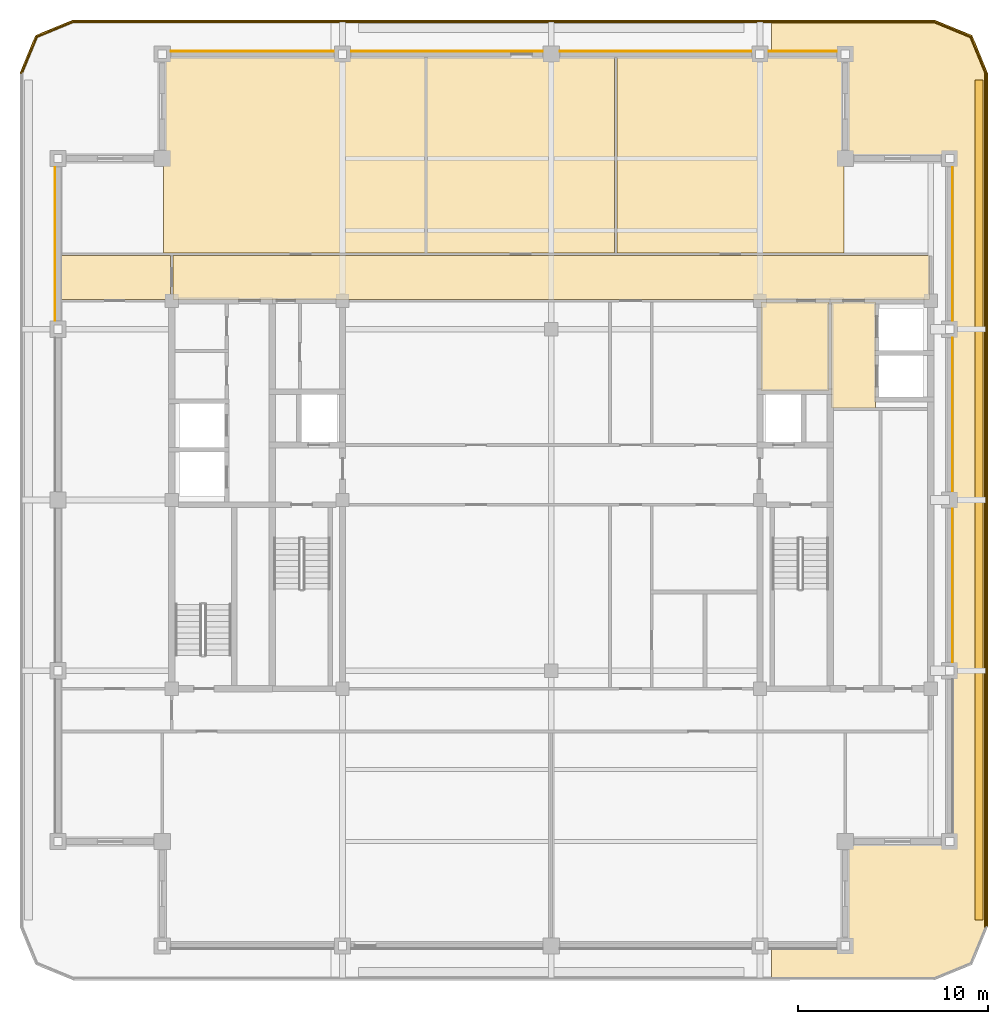
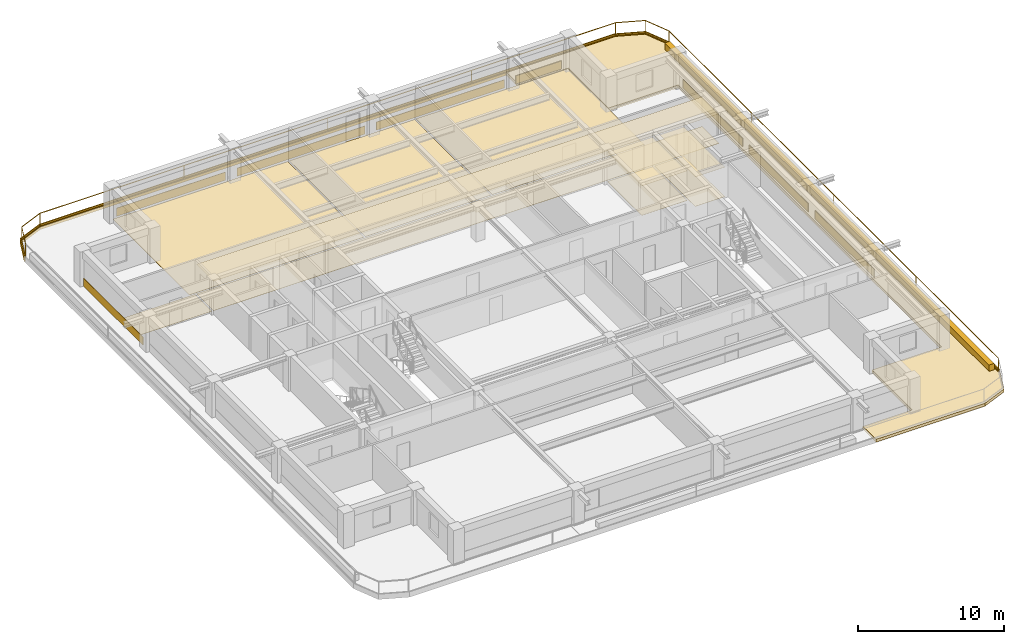
# One storey, part 10 of 10: 26 coverings, 2 railings.
"""IFC4 building model written with IfcOpenShell, lengths in metres."""

from ifc_helpers import new_model, si_unit, direction, frame, frame_2d, origin, origin_2d, place, context, subcontext, project, spatial, polyline, rectangle, outline, extrude, material, layer, layer_set, type_object, element, save


model = new_model("IFC4")

# Units and contexts
model_context = context("Model", 3, precision=1e-05, world=origin(), true_north=direction((0.0, 1.0)))
body_context = subcontext(model_context, "Body", "Model", "MODEL_VIEW")
ifc_project = project(units=[si_unit("LENGTHUNIT", "METRE"), si_unit("AREAUNIT", "SQUARE_METRE"), si_unit("VOLUMEUNIT", "CUBIC_METRE"), si_unit("PLANEANGLEUNIT", "RADIAN"), si_unit("MASSUNIT", "GRAM", prefix="KILO")], contexts=[model_context])

# Site, building, storey
site_placement = place(None, origin())
site = spatial("IfcSite", under=ifc_project, at=site_placement, CompositionType="ELEMENT")
building_placement = place(site_placement, origin())
building = spatial("IfcBuilding", under=site, at=building_placement, Name="Zulmaris Gate Convention Tower", CompositionType="ELEMENT")
storey_placement = place(building_placement, frame((0.0, 0.0, 267.35009765625)))
storey = spatial("IfcBuildingStorey", under=building, at=storey_placement, Name="L71", CompositionType="ELEMENT", Elevation=267.35009765625)

# Coverings
ifc_material_1 = material(Name="Precast concrete C40/50", Category="concrete")
ifc_layer_1 = layer(ifc_material_1, 0.0400390625, Name="Precast concrete C40/50")
ifc_layer_set_1 = layer_set([ifc_layer_1], Name="Precast concrete C40/50")
covering_type_1 = type_object("IfcCoveringType", Name="CLAD-SPANDREL-PRECAST", PredefinedType="CLADDING", material=ifc_layer_set_1)
covering_1_placement = place(storey_placement, frame((-11.455078125, 23.64990234375, 0.0), z_axis=(0.0, 0.0, 1.0), x_axis=(-1.0, 0.0, 0.0)))
element("IfcCovering", 1, at=covering_1_placement, inside=storey, type_object=covering_type_1, Name="CLD-L71-N-0_0", PredefinedType="CLADDING", context=body_context, shape_type="SweptSolid", body=[
    extrude(rectangle(XDim=8.58984375, YDim=0.0400390625, at=frame_2d((4.294921875, 0.0))), origin(), (0.0, 0.0, 1.0), 0.679931640625),
])
for number, where, z_axis, x_axis, name in (
    (2, (-0.455078125, 23.64990234375, 0.0), (0.0, 0.0, 1.0), (-1.0, 0.0, 0.0), "CLD-L71-N-1_0"),
    (3, (10.544921875, 23.64990234375, 0.0), (0.0, 0.0, 1.0), (-1.0, 0.0, 0.0), "CLD-L71-N-2_0"),
):
    element("IfcCovering", number, at=place(storey_placement, frame(where, z_axis=z_axis, x_axis=x_axis)), inside=storey, type_object=covering_type_1, Name=name, PredefinedType="CLADDING", context=body_context, shape_type="SweptSolid", body=[
        extrude(rectangle(XDim=10.08984375, YDim=0.0400390625, at=frame_2d((5.044921875, 0.0))), origin(), (0.0, 0.0, 1.0), 0.679931640625),
    ])
covering_2_placement = place(storey_placement, frame((15.044921875, 23.64990234375, 0.0), z_axis=(0.0, 0.0, 1.0), x_axis=(-1.0, 0.0, 0.0)))
element("IfcCovering", 4, at=covering_2_placement, inside=storey, type_object=covering_type_1, Name="CLD-L71-N-3_0", PredefinedType="CLADDING", context=body_context, shape_type="SweptSolid", body=[
    extrude(rectangle(XDim=3.58984375, YDim=0.0400390625, at=frame_2d((1.794921875, 0.0))), origin(), (0.0, 0.0, 1.0), 0.679931640625),
])
for number, where, z_axis, x_axis, name in (
    (5, (21.14990234375, -8.544921875, 0.0), (0.0, 0.0, 1.0), (0.0, 1.0, 0.0), "CLD-L71-E-1_0"),
    (6, (21.14990234375, 0.455078125, 0.0), (0.0, 0.0, 1.0), (0.0, 1.0, 0.0), "CLD-L71-E-2_0"),
    (7, (21.14990234375, 9.455078125, 0.0), (0.0, 0.0, 1.0), (0.0, 1.0, 0.0), "CLD-L71-E-3_0"),
    (8, (-26.14990234375, 17.544921875, 0.0), (0.0, 0.0, 1.0), (0.0, -1.0, 0.0), "CLD-L71-W-3_0"),
):
    element("IfcCovering", number, at=place(storey_placement, frame(where, z_axis=z_axis, x_axis=x_axis)), inside=storey, type_object=covering_type_1, Name=name, PredefinedType="CLADDING", context=body_context, shape_type="SweptSolid", body=[
        extrude(rectangle(XDim=8.08984375, YDim=0.0400390625, at=frame_2d((4.044921875, 0.0))), origin(), (0.0, 0.0, 1.0), 0.679931640625),
    ])
ifc_material_2 = material(Name="White Glazed Architectural Precast Concrete C40/50", Category="concrete")
ifc_layer_2 = layer(ifc_material_2, 0.239990234375, Name="White Glazed Architectural Precast Concrete C40/50")
ifc_layer_set_2 = layer_set([ifc_layer_2], Name="White Glazed Architectural Precast Concrete C40/50")
covering_type_2 = type_object("IfcCoveringType", Name="CLAD-TRAY-DECK", PredefinedType="CLADDING", material=ifc_layer_set_2)
covering_3_placement = place(storey_placement, frame((0.0, 0.0, -0.25)))
element("IfcCovering", 9, at=covering_3_placement, inside=storey, type_object=covering_type_2, Name="L71 East Rounded-Fascia Planter Tray Deck", PredefinedType="CLADDING", context=body_context, shape_type="SweptSolid", body=[
    extrude(outline(polyline([(20.199951171875, 25.300048828125), (22.179931640625, 24.47998046875), (23.0, 22.5), (23.0, -22.5), (22.179931640625, -24.47998046875), (20.199951171875, -25.300048828125), (11.60205078125, -25.300048828125), (11.60205078125, -23.5), (15.5, -23.5), (15.5, -18.0), (21.0, -18.0), (21.0, 18.0), (15.5, 18.0), (15.5, 23.5), (11.60205078125, 23.5), (11.60205078125, 25.300048828125), (20.199951171875, 25.300048828125)])), origin(), (0.0, 0.0, 1.0), 0.239990234375),
])
ifc_layer_3 = layer(ifc_material_2, 0.080078125, Name="White Glazed Architectural Precast Concrete C40/50")
ifc_layer_set_3 = layer_set([ifc_layer_3], Name="White Glazed Architectural Precast Concrete C40/50")
covering_type_3 = type_object("IfcCoveringType", Name="CLAD-TRAY-FASCIA", PredefinedType="CLADDING", material=ifc_layer_set_3)
covering_4_placement = place(storey_placement, frame((22.9599609375, -22.5, -0.2900390625), z_axis=(0.0, 0.0, 1.0), x_axis=(0.0, 1.0, 0.0)))
element("IfcCovering", 10, at=covering_4_placement, inside=storey, type_object=covering_type_3, Name="FSC-L71-TR-05", PredefinedType="CLADDING", context=body_context, shape_type="SweptSolid", body=[
    extrude(rectangle(XDim=45.0, YDim=0.080078125, at=frame_2d((22.5, 0.0))), origin(), (0.0, 0.0, 1.0), 0.43994140625),
])
covering_5_placement = place(storey_placement, frame((22.962890625, 22.484619140625, -0.2900390625), z_axis=(0.0, 0.0, 1.0), x_axis=(-0.382656984709, 0.923890487046, 0.0)))
element("IfcCovering", 11, at=covering_5_placement, inside=storey, type_object=covering_type_3, Name="FSC-L71-TR-06", PredefinedType="CLADDING", context=body_context, shape_type="SweptSolid", body=[
    extrude(rectangle(XDim=2.14306640625, YDim=0.080078125, at=frame_2d((1.071533203125, 0.0))), origin(), (0.0, 0.0, 1.0), 0.43994140625),
])
covering_6_placement = place(storey_placement, frame((22.16455078125, 24.44287109375, -0.2900390625), z_axis=(0.0, 0.0, 1.0), x_axis=(-0.923873803533, 0.382697263049, 0.0)))
element("IfcCovering", 12, at=covering_6_placement, inside=storey, type_object=covering_type_3, Name="FSC-L71-TR-07", PredefinedType="CLADDING", context=body_context, shape_type="SweptSolid", body=[
    extrude(rectangle(XDim=2.142822265625, YDim=0.080078125, at=frame_2d((1.0712890625, 0.0))), origin(), (0.0, 0.0, 1.0), 0.43994140625),
])
covering_7_placement = place(storey_placement, frame((20.199951171875, 25.260009765625, -0.2900390625), z_axis=(0.0, 0.0, 1.0), x_axis=(-1.0, 0.0, 0.0)))
element("IfcCovering", 13, at=covering_7_placement, inside=storey, type_object=covering_type_3, Name="FSC-L71-TR-08", PredefinedType="CLADDING", context=body_context, shape_type="SweptSolid", body=[
    extrude(rectangle(XDim=45.39990234375, YDim=0.080078125, at=frame_2d((22.699951171875, 0.0))), origin(), (0.0, 0.0, 1.0), 0.43994140625),
])
covering_8_placement = place(storey_placement, frame((-25.184814453125, 25.262939453125, -0.2900390625), z_axis=(0.0, 0.0, 1.0), x_axis=(-0.923873803533, -0.382697263049, 0.0)))
element("IfcCovering", 14, at=covering_8_placement, inside=storey, type_object=covering_type_3, Name="FSC-L71-TR-09", PredefinedType="CLADDING", context=body_context, shape_type="SweptSolid", body=[
    extrude(rectangle(XDim=2.142822265625, YDim=0.080078125, at=frame_2d((1.0712890625, 0.0))), origin(), (0.0, 0.0, 1.0), 0.43994140625),
])
covering_9_placement = place(storey_placement, frame((-27.142822265625, 24.464599609375, -0.2900390625), z_axis=(0.0, 0.0, 1.0), x_axis=(-0.382656984709, -0.923890487046, 0.0)))
element("IfcCovering", 15, at=covering_9_placement, inside=storey, type_object=covering_type_3, Name="FSC-L71-TR-10", PredefinedType="CLADDING", context=body_context, shape_type="SweptSolid", body=[
    extrude(rectangle(XDim=2.14306640625, YDim=0.080078125, at=frame_2d((1.071533203125, 0.0))), origin(), (0.0, 0.0, 1.0), 0.43994140625),
])
ifc_material_3 = material(Name="Mineral Fibre Acoustic Ceiling Tile")
ifc_layer_4 = layer(ifc_material_3, 0.02001953125, Name="Mineral Fibre Acoustic Ceiling Tile")
ifc_layer_set_4 = layer_set([ifc_layer_4], Name="Mineral Fibre Acoustic Ceiling Tile")
covering_type_4 = type_object("IfcCoveringType", Name="CLG-ACOUSTIC-600", PredefinedType="CEILING", material=ifc_layer_set_4)
covering_10_placement = place(storey_placement, frame((0.0, 0.0, 2.462890625)))
element("IfcCovering", 16, at=covering_10_placement, inside=storey, type_object=covering_type_4, Name="CLG-L71-R13", PredefinedType="CEILING", context=body_context, shape_type="SweptSolid", body=[
    extrude(outline(polyline([(11.06005859375, 5.760009765625), (14.639892578125, 5.760009765625), (14.639892578125, 10.43994140625), (11.06005859375, 10.43994140625), (11.06005859375, 5.760009765625)])), origin(), (0.0, 0.0, 1.0), 0.02001953125),
])
covering_11_placement = place(storey_placement, frame((0.0, 0.0, 2.462890625)))
element("IfcCovering", 17, at=covering_11_placement, inside=storey, type_object=covering_type_4, Name="CLG-L71-R23", PredefinedType="CEILING", context=body_context, shape_type="SweptSolid", body=[
    extrude(outline(polyline([(14.760009765625, 4.860107421875), (17.090087890625, 4.860107421875), (17.090087890625, 10.43994140625), (14.760009765625, 10.43994140625), (14.760009765625, 4.860107421875)])), origin(), (0.0, 0.0, 1.0), 0.02001953125),
])
covering_12_placement = place(storey_placement, frame((0.0, 0.0, 2.462890625)))
element("IfcCovering", 18, at=covering_12_placement, inside=storey, type_object=covering_type_4, Name="CLG-L71-R28", PredefinedType="CEILING", context=body_context, shape_type="SweptSolid", body=[
    extrude(outline(polyline([(-19.93994140625, 10.56005859375), (19.93994140625, 10.56005859375), (19.93994140625, 12.889892578125), (-19.93994140625, 12.889892578125), (-19.93994140625, 10.56005859375)])), origin(), (0.0, 0.0, 1.0), 0.02001953125),
])
ifc_material_4 = material(Name="Woven Acoustic Wool Carpet Tile")
ifc_layer_5 = layer(ifc_material_4, 0.02001953125, Name="Woven Acoustic Wool Carpet Tile")
ifc_layer_set_5 = layer_set([ifc_layer_5], Name="Woven Acoustic Wool Carpet Tile")
covering_type_5 = type_object("IfcCoveringType", Name="FLR-CARPET-12", PredefinedType="FLOORING", material=ifc_layer_set_5)
covering_13_placement = place(storey_placement, origin())
element("IfcCovering", 19, at=covering_13_placement, inside=storey, type_object=covering_type_5, Name="FLR-L71-R13", PredefinedType="FLOORING", context=body_context, shape_type="SweptSolid", body=[
    extrude(outline(polyline([(11.06005859375, 5.760009765625), (14.639892578125, 5.760009765625), (14.639892578125, 10.43994140625), (11.06005859375, 10.43994140625), (11.06005859375, 5.760009765625)])), origin(), (0.0, 0.0, 1.0), 0.02001953125),
])
covering_14_placement = place(storey_placement, origin())
element("IfcCovering", 20, at=covering_14_placement, inside=storey, type_object=covering_type_5, Name="FLR-L71-R23", PredefinedType="FLOORING", context=body_context, shape_type="SweptSolid", body=[
    extrude(outline(polyline([(14.760009765625, 4.860107421875), (17.090087890625, 4.860107421875), (17.090087890625, 10.43994140625), (14.760009765625, 10.43994140625), (14.760009765625, 4.860107421875)])), origin(), (0.0, 0.0, 1.0), 0.02001953125),
])
covering_15_placement = place(storey_placement, origin())
element("IfcCovering", 21, at=covering_15_placement, inside=storey, type_object=covering_type_5, Name="FLR-L71-R28", PredefinedType="FLOORING", context=body_context, shape_type="SweptSolid", body=[
    extrude(outline(polyline([(-19.93994140625, 10.56005859375), (19.93994140625, 10.56005859375), (19.93994140625, 12.889892578125), (-19.93994140625, 12.889892578125), (-19.93994140625, 10.56005859375)])), origin(), (0.0, 0.0, 1.0), 0.02001953125),
])
covering_16_placement = place(storey_placement, origin())
element("IfcCovering", 22, at=covering_16_placement, inside=storey, type_object=covering_type_5, Name="FLR-L71-R33", PredefinedType="FLOORING", context=body_context, shape_type="SweptSolid", body=[
    extrude(outline(polyline([(-20.43994140625, 13.010009765625), (-6.659912109375, 13.010009765625), (-6.659912109375, 23.43994140625), (-20.43994140625, 23.43994140625), (-20.43994140625, 13.010009765625)])), origin(), (0.0, 0.0, 1.0), 0.02001953125),
])
covering_17_placement = place(storey_placement, origin())
element("IfcCovering", 23, at=covering_17_placement, inside=storey, type_object=covering_type_5, Name="FLR-L71-R34", PredefinedType="FLOORING", context=body_context, shape_type="SweptSolid", body=[
    extrude(outline(polyline([(-6.5400390625, 13.010009765625), (3.340087890625, 13.010009765625), (3.340087890625, 23.43994140625), (-6.5400390625, 23.43994140625), (-6.5400390625, 13.010009765625)])), origin(), (0.0, 0.0, 1.0), 0.02001953125),
])
covering_18_placement = place(storey_placement, origin())
element("IfcCovering", 24, at=covering_18_placement, inside=storey, type_object=covering_type_5, Name="FLR-L71-R35", PredefinedType="FLOORING", context=body_context, shape_type="SweptSolid", body=[
    extrude(outline(polyline([(3.4599609375, 13.010009765625), (15.43994140625, 13.010009765625), (15.43994140625, 23.43994140625), (3.4599609375, 23.43994140625), (3.4599609375, 13.010009765625)])), origin(), (0.0, 0.0, 1.0), 0.02001953125),
])
covering_19_placement = place(storey_placement, origin())
element("IfcCovering", 25, at=covering_19_placement, inside=storey, type_object=covering_type_5, Name="FLR-L71-R44", PredefinedType="FLOORING", context=body_context, shape_type="SweptSolid", body=[
    extrude(outline(polyline([(-25.93994140625, 10.56005859375), (-20.06005859375, 10.56005859375), (-20.06005859375, 12.889892578125), (-25.93994140625, 12.889892578125), (-25.93994140625, 10.56005859375)])), origin(), (0.0, 0.0, 1.0), 0.02001953125),
])
ifc_material_5 = material(Name="Botanical Green Glazed Precast Concrete C40/50", Category="concrete")
ifc_layer_6 = layer(ifc_material_5, 0.419921875, Name="Botanical Green Glazed Precast Concrete C40/50")
ifc_layer_set_6 = layer_set([ifc_layer_6], Name="Botanical Green Glazed Precast Concrete C40/50")
covering_type_6 = type_object("IfcCoveringType", Name="PLANTER-BOX-200", PredefinedType="CLADDING", material=ifc_layer_set_6)
covering_20_placement = place(storey_placement, frame((0.0, 0.0, -0.010009765625)))
element("IfcCovering", 26, at=covering_20_placement, inside=storey, type_object=covering_type_6, Name="L71 E Full-Length Balcony Tree Planter Trough", PredefinedType="CLADDING", context=body_context, shape_type="SweptSolid", body=[
    extrude(outline(polyline([(22.340087890625, -22.14990234375), (22.760009765625, -22.14990234375), (22.760009765625, 22.14990234375), (22.340087890625, 22.14990234375), (22.340087890625, -22.14990234375)])), origin(), (0.0, 0.0, 1.0), 0.52001953125),
])

# Railings
ifc_material_6 = material(Name="Laminated Glass and Stainless Steel", Category="steel")
railing_type = type_object("IfcRailingType", Name="RL-BALC-1150", PredefinedType="BALUSTRADE", material=ifc_material_6)
railing_1_placement = place(storey_placement, frame((22.8798828125, -22.5, -0.010009765625)))
element("IfcRailing", 27, at=railing_1_placement, inside=storey, type_object=railing_type, Name="RL-L71-BALC-E", PredefinedType="BALUSTRADE", context=body_context, shape_type="SweptSolid", body=[
    extrude(rectangle(XDim=0.048095703125, YDim=0.048095703125, at=origin_2d()), frame((0.0, 0.0, 1.1259765625), z_axis=(0.0, 1.0, 0.0), x_axis=(-1.0, 0.0, 0.0)), (0.0, 0.0, 1.0), 45.0),
    extrude(rectangle(XDim=0.048095703125, YDim=0.048095703125, at=origin_2d()), frame((0.0, 0.0, 0.02392578125), z_axis=(0.0, 1.0, 0.0), x_axis=(-1.0, 0.0, 0.0)), (0.0, 0.0, 1.0), 45.0),
    extrude(rectangle(XDim=0.0419921875, YDim=0.0419921875, at=origin_2d()), origin(), (0.0, 0.0, 1.0), 1.101806640625),
    extrude(rectangle(XDim=0.0419921875, YDim=0.0419921875, at=origin_2d()), frame((0.0, 11.25, 0.0)), (0.0, 0.0, 1.0), 1.101806640625),
    extrude(rectangle(XDim=0.0419921875, YDim=0.0419921875, at=origin_2d()), frame((0.0, 22.5, 0.0)), (0.0, 0.0, 1.0), 1.101806640625),
    extrude(rectangle(XDim=0.0419921875, YDim=0.0419921875, at=origin_2d()), frame((0.0, 33.75, 0.0)), (0.0, 0.0, 1.0), 1.101806640625),
    extrude(rectangle(XDim=0.0419921875, YDim=0.0419921875, at=origin_2d()), frame((0.0, 45.0, 0.0)), (0.0, 0.0, 1.0), 1.101806640625),
])
railing_2_placement = place(storey_placement, frame((22.8798828125, 22.5, -0.010009765625)))
element("IfcRailing", 28, at=railing_2_placement, inside=storey, type_object=railing_type, Name="RL-L71-BALC-N", PredefinedType="BALUSTRADE", context=body_context, shape_type="SweptSolid", body=[
    extrude(rectangle(XDim=0.048095703125, YDim=0.048095703125, at=origin_2d()), frame((0.0, 0.0, 1.1259765625), z_axis=(-0.382670664694, 0.92388482095, 0.0), x_axis=(-0.92388482095, -0.382670664694, 0.0)), (0.0, 0.0, 1.0), 2.051025390625),
    extrude(rectangle(XDim=0.048095703125, YDim=0.048095703125, at=origin_2d()), frame((0.0, 0.0, 0.02392578125), z_axis=(-0.382670664694, 0.92388482095, 0.0), x_axis=(-0.92388482095, -0.382670664694, 0.0)), (0.0, 0.0, 1.0), 2.051025390625),
    extrude(rectangle(XDim=0.048095703125, YDim=0.048095703125, at=origin_2d()), frame((-0.784912109375, 1.89501953125, 1.1259765625), z_axis=(-0.92388482095, 0.382670664694, 0.0), x_axis=(-0.382670664694, -0.92388482095, 0.0)), (0.0, 0.0, 1.0), 2.051025390625),
    extrude(rectangle(XDim=0.048095703125, YDim=0.048095703125, at=origin_2d()), frame((-0.784912109375, 1.89501953125, 0.02392578125), z_axis=(-0.92388482095, 0.382670664694, 0.0), x_axis=(-0.382670664694, -0.92388482095, 0.0)), (0.0, 0.0, 1.0), 2.051025390625),
    extrude(rectangle(XDim=0.048095703125, YDim=0.048095703125, at=origin_2d()), frame((-2.679931640625, 2.679931640625, 1.1259765625), z_axis=(-1.0, 0.0, 0.0), x_axis=(0.0, -1.0, 0.0)), (0.0, 0.0, 1.0), 45.39990234375),
    extrude(rectangle(XDim=0.048095703125, YDim=0.048095703125, at=origin_2d()), frame((-2.679931640625, 2.679931640625, 0.02392578125), z_axis=(-1.0, 0.0, 0.0), x_axis=(0.0, -1.0, 0.0)), (0.0, 0.0, 1.0), 45.39990234375),
    extrude(rectangle(XDim=0.048095703125, YDim=0.048095703125, at=origin_2d()), frame((-48.079833984375, 2.679931640625, 1.1259765625), z_axis=(-0.92388482095, -0.382670664694, 0.0), x_axis=(0.382670664694, -0.92388482095, 0.0)), (0.0, 0.0, 1.0), 2.051025390625),
    extrude(rectangle(XDim=0.048095703125, YDim=0.048095703125, at=origin_2d()), frame((-48.079833984375, 2.679931640625, 0.02392578125), z_axis=(-0.92388482095, -0.382670664694, 0.0), x_axis=(0.382670664694, -0.92388482095, 0.0)), (0.0, 0.0, 1.0), 2.051025390625),
    extrude(rectangle(XDim=0.048095703125, YDim=0.048095703125, at=origin_2d()), frame((-49.974853515625, 1.89501953125, 1.1259765625), z_axis=(-0.382670664694, -0.92388482095, 0.0), x_axis=(0.92388482095, -0.382670664694, 0.0)), (0.0, 0.0, 1.0), 2.051025390625),
    extrude(rectangle(XDim=0.048095703125, YDim=0.048095703125, at=origin_2d()), frame((-49.974853515625, 1.89501953125, 0.02392578125), z_axis=(-0.382670664694, -0.92388482095, 0.0), x_axis=(0.92388482095, -0.382670664694, 0.0)), (0.0, 0.0, 1.0), 2.051025390625),
    extrude(rectangle(XDim=0.0419921875, YDim=0.0419921875, at=origin_2d()), origin(), (0.0, 0.0, 1.0), 1.101806640625),
    extrude(rectangle(XDim=0.0419921875, YDim=0.0419921875, at=origin_2d()), frame((-0.784912109375, 1.89501953125, 0.0)), (0.0, 0.0, 1.0), 1.101806640625),
    extrude(rectangle(XDim=0.0419921875, YDim=0.0419921875, at=origin_2d()), frame((-2.679931640625, 2.679931640625, 0.0)), (0.0, 0.0, 1.0), 1.101806640625),
    extrude(rectangle(XDim=0.0419921875, YDim=0.0419921875, at=origin_2d()), frame((-14.02978515625, 2.679931640625, 0.0)), (0.0, 0.0, 1.0), 1.101806640625),
    extrude(rectangle(XDim=0.0419921875, YDim=0.0419921875, at=origin_2d()), frame((-25.3798828125, 2.679931640625, 0.0)), (0.0, 0.0, 1.0), 1.101806640625),
    extrude(rectangle(XDim=0.0419921875, YDim=0.0419921875, at=origin_2d()), frame((-36.72998046875, 2.679931640625, 0.0)), (0.0, 0.0, 1.0), 1.101806640625),
    extrude(rectangle(XDim=0.0419921875, YDim=0.0419921875, at=origin_2d()), frame((-48.079833984375, 2.679931640625, 0.0)), (0.0, 0.0, 1.0), 1.101806640625),
    extrude(rectangle(XDim=0.0419921875, YDim=0.0419921875, at=origin_2d()), frame((-49.974853515625, 1.89501953125, 0.0)), (0.0, 0.0, 1.0), 1.101806640625),
    extrude(rectangle(XDim=0.0419921875, YDim=0.0419921875, at=origin_2d()), frame((-50.759765625, 0.0, 0.0)), (0.0, 0.0, 1.0), 1.101806640625),
])

save(model, "model.ifc")
